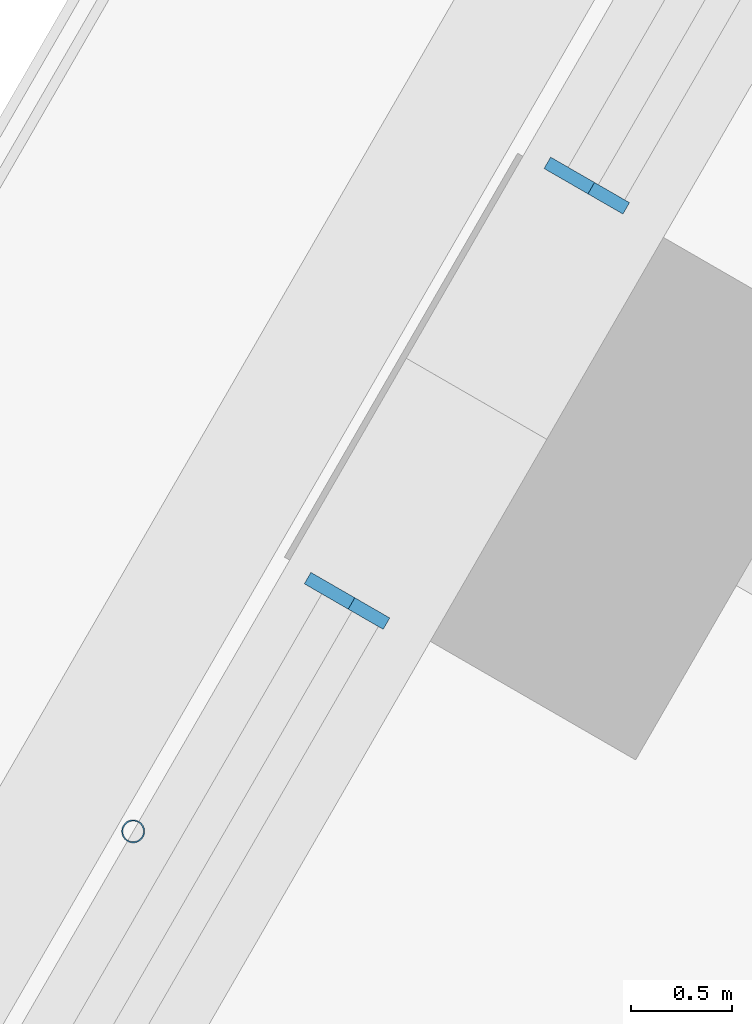
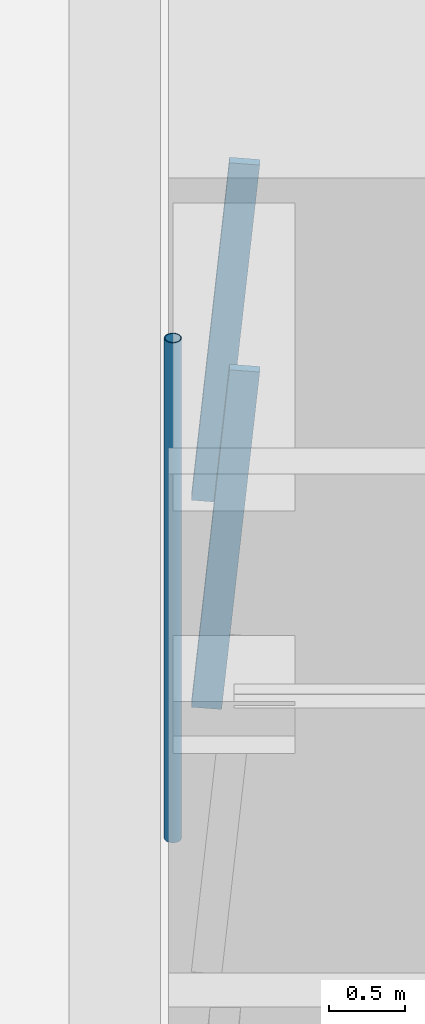
# One storey, part 7 of 23: 3 members, 2 elements without a shape of their own.
"""IFC4 building model written with IfcOpenShell, lengths in metres."""

from ifc_helpers import new_model, si_unit, direction, frame, origin, origin_2d, place, context, subcontext, project, spatial, rectangle, hollow_circle, extrude, material, material_profile, profile_set, type_object, element, aggregate, save


model = new_model("IFC4")

# Units and contexts
model_context = context("Model", 3, precision=1e-05, world=origin(), true_north=direction((0.0, 1.0)))
body_context = subcontext(model_context, "Body", "Model", "MODEL_VIEW")
ifc_project = project(units=[si_unit("LENGTHUNIT", "METRE"), si_unit("AREAUNIT", "SQUARE_METRE"), si_unit("VOLUMEUNIT", "CUBIC_METRE"), si_unit("PLANEANGLEUNIT", "RADIAN"), si_unit("MASSUNIT", "GRAM", prefix="KILO")], contexts=[model_context])

# Site, building, storey
site_placement = place(None, origin())
site = spatial("IfcSite", under=ifc_project, at=site_placement, CompositionType="ELEMENT")
building_placement = place(site_placement, origin())
building = spatial("IfcBuilding", under=site, at=building_placement, Name="Tarfa Lantern Tower", CompositionType="ELEMENT")
storey_placement = place(building_placement, frame((0.0, 0.0, 36.10009765625)))
storey = spatial("IfcBuildingStorey", under=building, at=storey_placement, Name="L07", CompositionType="ELEMENT", Elevation=36.10009765625)

# Curtain wall, member
ifc_material_1 = material(Name="Aluminium framed curtain wall", Category="aluminium")
curtain_wall_type = type_object("IfcCurtainWallType", Name="CW1 CANTED GLAZING LOW ZONE 2700", PredefinedType="USERDEFINED", material=ifc_material_1)
curtain_wall_1_placement = place(storey_placement, origin())
curtain_wall_1 = element("IfcCurtainWall", 1, at=curtain_wall_1_placement, inside=storey, type_object=curtain_wall_type, Name="CW1 NW L07", ObjectType="CURTAIN WALL", PredefinedType="USERDEFINED")
ifc_material_2 = material(Name="Aluminium mullion", Category="aluminium")
ifc_material_profile_1 = material_profile(ifc_material_2, rectangle(XDim=0.06494140625, YDim=0.199951171875, at=origin_2d()), Name="AL MULLION 65x200")
ifc_profile_set_1 = profile_set([ifc_material_profile_1], Name="Aluminium mullion")
member_type_1 = type_object("IfcMemberType", Name="CWM1 MULLION 65x200", PredefinedType="MULLION", material=ifc_profile_set_1)
member_1_placement = place(storey_placement, frame((-31.46142578125, 13.307373046875, 0.0), z_axis=(0.07986442134, -0.046099868913, 0.99573916077), x_axis=(0.499919672301, 0.866071776036, 0.0)))
member_1 = element("IfcMember", 2, at=member_1_placement, type_object=member_type_1, Name="CW1 mullion 2", PredefinedType="MULLION", context=body_context, shape_type="SweptSolid", body=[
    extrude(rectangle(XDim=0.06494140625, YDim=0.199951171875, at=origin_2d()), origin(), (0.0, 0.0, 1.0), 2.71142578125),
])
aggregate(curtain_wall_1, [member_1])

curtain_wall_2_placement = place(storey_placement, origin())
curtain_wall_2 = element("IfcCurtainWall", 3, at=curtain_wall_2_placement, inside=storey, type_object=curtain_wall_type, Name="CW1 NW L07", ObjectType="CURTAIN WALL", PredefinedType="USERDEFINED")
member_2_placement = place(storey_placement, frame((-32.643798828125, 11.25927734375, 0.0), z_axis=(0.07986442134, -0.046099868913, 0.99573916077), x_axis=(0.499919672301, 0.866071776036, 0.0)))
member_2 = element("IfcMember", 4, at=member_2_placement, type_object=member_type_1, Name="CW1 mullion 1", PredefinedType="MULLION", context=body_context, shape_type="SweptSolid", body=[
    extrude(rectangle(XDim=0.06494140625, YDim=0.199951171875, at=origin_2d()), origin(), (0.0, 0.0, 1.0), 2.71142578125),
])
aggregate(curtain_wall_2, [member_2])

# Member
ifc_material_3 = material(Name="Steel S355", Category="steel")
ifc_material_profile_2 = material_profile(ifc_material_3, hollow_circle(Radius=0.05712890625, WallThickness=0.00634765625, at=origin_2d()), Name="CHS114.3x6.3")
ifc_profile_set_2 = profile_set([ifc_material_profile_2], Name="Steel S355")
member_type_2 = type_object("IfcMemberType", Name="TR1 GREEN WALL TRELLIS CHS114.3x6.3", PredefinedType="USERDEFINED", material=ifc_profile_set_2)
member_3_placement = place(storey_placement, frame((-33.59033203125, 10.06005859375, 0.0), z_axis=(0.0, 0.0, 1.0), x_axis=(1.0, 0.0, 0.0)))
element("IfcMember", 5, at=member_3_placement, inside=storey, type_object=member_type_2, Name="Trellis post NW 2", ObjectType="TRELLIS", PredefinedType="USERDEFINED", context=body_context, shape_type="SweptSolid", body=[
    extrude(hollow_circle(Radius=0.05712890625, WallThickness=0.00634765625, at=origin_2d()), origin(), (0.0, 0.0, 1.0), 4.0),
])

save(model, "model.ifc")
